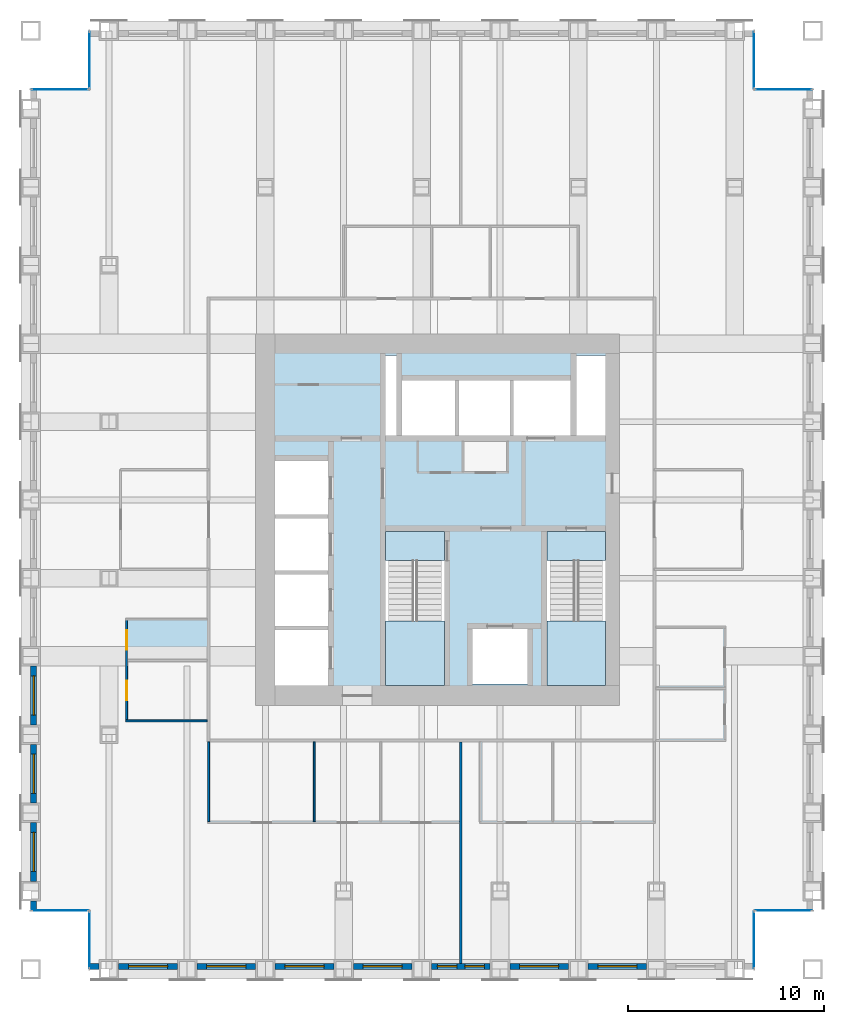
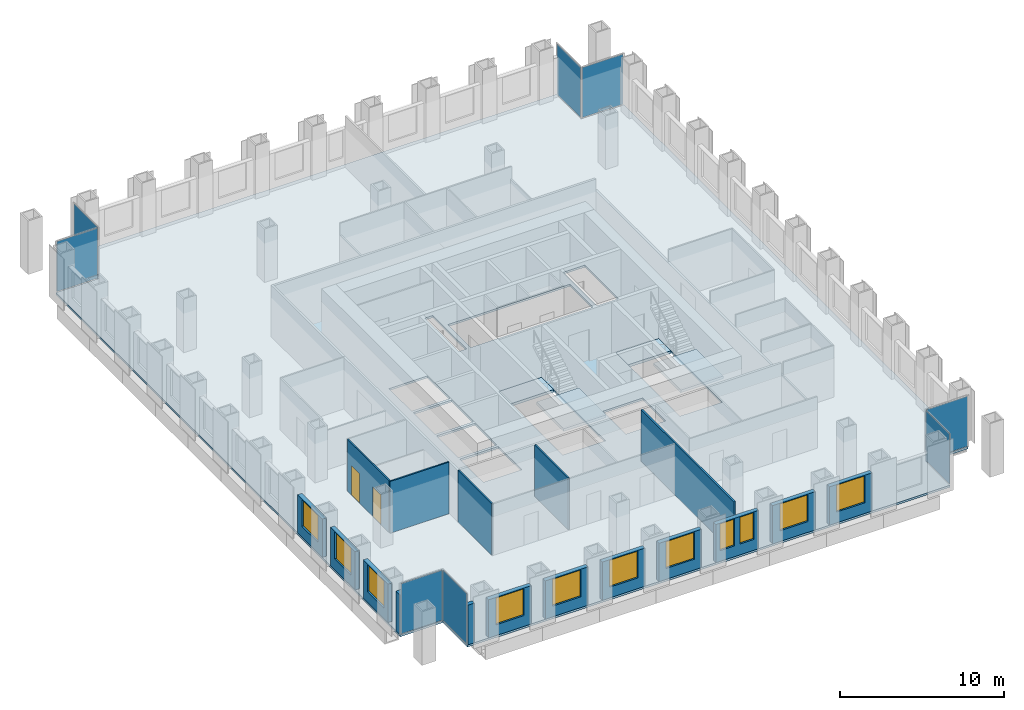
# One storey, part 7 of 12: 17 walls, 11 windows, 8 plates, 5 slabs, 2 doors, 13 openings, 10 elements without a shape of their own.
"""IFC4 building model written with IfcOpenShell, lengths in metres."""

from ifc_helpers import new_model, si_unit, direction, frame, frame_2d, origin, origin_2d, place, context, subcontext, project, spatial, polyline, rectangle, outline, extrude, material, layer, layer_set, type_object, element, fill, aggregate, save


model = new_model("IFC4")

# Units and contexts
model_context = context("Model", 3, precision=1e-05, world=origin(), true_north=direction((0.0, 1.0)))
body_context = subcontext(model_context, "Body", "Model", "MODEL_VIEW")
ifc_project = project(units=[si_unit("LENGTHUNIT", "METRE"), si_unit("AREAUNIT", "SQUARE_METRE"), si_unit("VOLUMEUNIT", "CUBIC_METRE"), si_unit("PLANEANGLEUNIT", "RADIAN"), si_unit("MASSUNIT", "GRAM", prefix="KILO")], contexts=[model_context])

# Site, building, storey
site_placement = place(None, origin())
site = spatial("IfcSite", under=ifc_project, at=site_placement, CompositionType="ELEMENT")
building_placement = place(site_placement, origin())
building = spatial("IfcBuilding", under=site, at=building_placement, Name="Rimbunsela Tower", CompositionType="ELEMENT")
storey_placement = place(building_placement, frame((0.0, 0.0, 155.800048828125)))
storey = spatial("IfcBuildingStorey", under=building, at=storey_placement, Name="L37", CompositionType="ELEMENT", Elevation=155.800048828125)

# Slab
ifc_material_1 = material(Name="Concrete fc' 35 MPa", Category="concrete")
ifc_layer_1 = layer(ifc_material_1, 0.14990234375)
ifc_layer_set_1 = layer_set([ifc_layer_1], Name="Floor slab 150")
slab_type_1 = type_object("IfcSlabType", Name="Floor slab 150", PredefinedType="FLOOR", material=ifc_layer_set_1)
slab_1_placement = place(storey_placement, frame((0.0, 0.0, -0.150146484375)))
element("IfcSlab", 1, at=slab_1_placement, inside=storey, type_object=slab_type_1, Name="Floor slab L37", PredefinedType="FLOOR", context=body_context, shape_type="SweptSolid", body=[
    extrude(outline(polyline([(9.0, 4.0), (43.0, 4.0), (43.0, 7.0), (46.0, 7.0), (46.0, 49.0), (43.0, 49.0), (43.0, 52.0), (9.0, 52.0), (9.0, 49.0), (6.0, 49.0), (6.0, 7.0), (9.0, 7.0), (9.0, 4.0)]), holes=[polyline([(21.199951171875, 21.35009765625), (18.5, 21.35009765625), (18.5, 18.5), (21.199951171875, 18.5), (21.199951171875, 21.35009765625)]), polyline([(21.199951171875, 21.550048828125), (21.199951171875, 24.199951171875), (18.5, 24.199951171875), (18.5, 21.550048828125), (21.199951171875, 21.550048828125)]), polyline([(21.199951171875, 27.050048828125), (18.5, 27.050048828125), (18.5, 24.39990234375), (21.199951171875, 24.39990234375), (21.199951171875, 27.050048828125)]), polyline([(21.199951171875, 27.25), (21.199951171875, 30.0), (18.5, 30.0), (18.5, 27.25), (21.199951171875, 27.25)]), polyline([(27.14990234375, 18.60009765625), (27.14990234375, 26.39990234375), (24.14990234375, 26.39990234375), (24.14990234375, 18.60009765625), (27.14990234375, 18.60009765625)]), polyline([(24.699951171875, 31.300048828125), (24.699951171875, 35.39990234375), (24.14990234375, 35.39990234375), (24.14990234375, 31.300048828125), (24.699951171875, 31.300048828125)]), polyline([(25.0, 34.10009765625), (25.0, 31.300048828125), (33.60009765625, 31.300048828125), (33.60009765625, 34.10009765625), (25.0, 34.10009765625)]), polyline([(31.39990234375, 21.39990234375), (28.60009765625, 21.39990234375), (28.60009765625, 18.60009765625), (31.39990234375, 18.60009765625), (31.39990234375, 21.39990234375)]), polyline([(35.39990234375, 18.60009765625), (35.39990234375, 26.39990234375), (32.39990234375, 26.39990234375), (32.39990234375, 18.60009765625), (35.39990234375, 18.60009765625)]), polyline([(35.39990234375, 31.300048828125), (35.39990234375, 35.39990234375), (33.89990234375, 35.39990234375), (33.89990234375, 31.300048828125), (35.39990234375, 31.300048828125)])]), origin(), (0.0, 0.0, 1.0), 0.150146484375),
])

# Curtain wall, plate
ifc_material_2 = material(Name="Aluminium curtain wall", Category="aluminium")
curtain_wall_type = type_object("IfcCurtainWallType", Name="Corner glazing", PredefinedType="USERDEFINED", material=ifc_material_2)
curtain_wall_1_placement = place(storey_placement, origin())
curtain_wall_1 = element("IfcCurtainWall", 2, at=curtain_wall_1_placement, inside=storey, type_object=curtain_wall_type, Name="Corner glazing L37", ObjectType="CORNER GLAZING", PredefinedType="USERDEFINED")
ifc_material_3 = material(Name="Clear double glazing", Category="glass")
ifc_layer_2 = layer(ifc_material_3, 0.028076171875)
ifc_layer_set_2 = layer_set([ifc_layer_2], Name="Glazed panel clear")
plate_type = type_object("IfcPlateType", Name="Glazed panel clear", PredefinedType="CURTAIN_PANEL", material=ifc_layer_set_2)
plate_1_placement = place(storey_placement, frame((43.0, 5.5, 0.06005859375), z_axis=(0.0, 0.0, 1.0), x_axis=(0.0, 1.0, 0.0)))
plate_1 = element("IfcPlate", 3, at=plate_1_placement, type_object=plate_type, Name="CW5 panel 1.1", PredefinedType="CURTAIN_PANEL", context=body_context, shape_type="SweptSolid", body=[
    extrude(rectangle(XDim=2.8798828125, YDim=0.028076171875, at=origin_2d()), origin(), (0.0, 0.0, 1.0), 3.72998046875),
])
aggregate(curtain_wall_1, [plate_1])

curtain_wall_2_placement = place(storey_placement, origin())
curtain_wall_2 = element("IfcCurtainWall", 4, at=curtain_wall_2_placement, inside=storey, type_object=curtain_wall_type, Name="Corner glazing L37", ObjectType="CORNER GLAZING", PredefinedType="USERDEFINED")
plate_2_placement = place(storey_placement, frame((44.5, 7.0, 0.06005859375), z_axis=(0.0, 0.0, 1.0), x_axis=(1.0, 0.0, 0.0)))
plate_2 = element("IfcPlate", 5, at=plate_2_placement, type_object=plate_type, Name="CW5 panel 1.1", PredefinedType="CURTAIN_PANEL", context=body_context, shape_type="SweptSolid", body=[
    extrude(rectangle(XDim=2.8798828125, YDim=0.028076171875, at=origin_2d()), origin(), (0.0, 0.0, 1.0), 3.72998046875),
])
aggregate(curtain_wall_2, [plate_2])

curtain_wall_3_placement = place(storey_placement, origin())
curtain_wall_3 = element("IfcCurtainWall", 6, at=curtain_wall_3_placement, inside=storey, type_object=curtain_wall_type, Name="Corner glazing L37", ObjectType="CORNER GLAZING", PredefinedType="USERDEFINED")
plate_3_placement = place(storey_placement, frame((44.5, 49.0, 0.06005859375), z_axis=(0.0, 0.0, 1.0), x_axis=(-1.0, 0.0, 0.0)))
plate_3 = element("IfcPlate", 7, at=plate_3_placement, type_object=plate_type, Name="CW5 panel 1.1", PredefinedType="CURTAIN_PANEL", context=body_context, shape_type="SweptSolid", body=[
    extrude(rectangle(XDim=2.8798828125, YDim=0.028076171875, at=origin_2d()), origin(), (0.0, 0.0, 1.0), 3.72998046875),
])
aggregate(curtain_wall_3, [plate_3])

curtain_wall_4_placement = place(storey_placement, origin())
curtain_wall_4 = element("IfcCurtainWall", 8, at=curtain_wall_4_placement, inside=storey, type_object=curtain_wall_type, Name="Corner glazing L37", ObjectType="CORNER GLAZING", PredefinedType="USERDEFINED")
plate_4_placement = place(storey_placement, frame((43.0, 50.5, 0.06005859375), z_axis=(0.0, 0.0, 1.0), x_axis=(0.0, 1.0, 0.0)))
plate_4 = element("IfcPlate", 9, at=plate_4_placement, type_object=plate_type, Name="CW5 panel 1.1", PredefinedType="CURTAIN_PANEL", context=body_context, shape_type="SweptSolid", body=[
    extrude(rectangle(XDim=2.8798828125, YDim=0.028076171875, at=origin_2d()), origin(), (0.0, 0.0, 1.0), 3.72998046875),
])
aggregate(curtain_wall_4, [plate_4])

curtain_wall_5_placement = place(storey_placement, origin())
curtain_wall_5 = element("IfcCurtainWall", 10, at=curtain_wall_5_placement, inside=storey, type_object=curtain_wall_type, Name="Corner glazing L37", ObjectType="CORNER GLAZING", PredefinedType="USERDEFINED")
plate_5_placement = place(storey_placement, frame((9.0, 50.5, 0.06005859375), z_axis=(0.0, 0.0, 1.0), x_axis=(0.0, -1.0, 0.0)))
plate_5 = element("IfcPlate", 11, at=plate_5_placement, type_object=plate_type, Name="CW5 panel 1.1", PredefinedType="CURTAIN_PANEL", context=body_context, shape_type="SweptSolid", body=[
    extrude(rectangle(XDim=2.8798828125, YDim=0.028076171875, at=origin_2d()), origin(), (0.0, 0.0, 1.0), 3.72998046875),
])
aggregate(curtain_wall_5, [plate_5])

curtain_wall_6_placement = place(storey_placement, origin())
curtain_wall_6 = element("IfcCurtainWall", 12, at=curtain_wall_6_placement, inside=storey, type_object=curtain_wall_type, Name="Corner glazing L37", ObjectType="CORNER GLAZING", PredefinedType="USERDEFINED")
plate_6_placement = place(storey_placement, frame((7.5, 49.0, 0.06005859375), z_axis=(0.0, 0.0, 1.0), x_axis=(-1.0, 0.0, 0.0)))
plate_6 = element("IfcPlate", 13, at=plate_6_placement, type_object=plate_type, Name="CW5 panel 1.1", PredefinedType="CURTAIN_PANEL", context=body_context, shape_type="SweptSolid", body=[
    extrude(rectangle(XDim=2.8798828125, YDim=0.028076171875, at=origin_2d()), origin(), (0.0, 0.0, 1.0), 3.72998046875),
])
aggregate(curtain_wall_6, [plate_6])

curtain_wall_7_placement = place(storey_placement, origin())
curtain_wall_7 = element("IfcCurtainWall", 14, at=curtain_wall_7_placement, inside=storey, type_object=curtain_wall_type, Name="Corner glazing L37", ObjectType="CORNER GLAZING", PredefinedType="USERDEFINED")
plate_7_placement = place(storey_placement, frame((7.5, 7.0, 0.06005859375), z_axis=(0.0, 0.0, 1.0), x_axis=(1.0, 0.0, 0.0)))
plate_7 = element("IfcPlate", 15, at=plate_7_placement, type_object=plate_type, Name="CW5 panel 1.1", PredefinedType="CURTAIN_PANEL", context=body_context, shape_type="SweptSolid", body=[
    extrude(rectangle(XDim=2.8798828125, YDim=0.028076171875, at=origin_2d()), origin(), (0.0, 0.0, 1.0), 3.72998046875),
])
aggregate(curtain_wall_7, [plate_7])

curtain_wall_8_placement = place(storey_placement, origin())
curtain_wall_8 = element("IfcCurtainWall", 16, at=curtain_wall_8_placement, inside=storey, type_object=curtain_wall_type, Name="Corner glazing L37", ObjectType="CORNER GLAZING", PredefinedType="USERDEFINED")
plate_8_placement = place(storey_placement, frame((9.0, 5.5, 0.06005859375), z_axis=(0.0, 0.0, 1.0), x_axis=(0.0, -1.0, 0.0)))
plate_8 = element("IfcPlate", 17, at=plate_8_placement, type_object=plate_type, Name="CW5 panel 1.1", PredefinedType="CURTAIN_PANEL", context=body_context, shape_type="SweptSolid", body=[
    extrude(rectangle(XDim=2.8798828125, YDim=0.028076171875, at=origin_2d()), origin(), (0.0, 0.0, 1.0), 3.72998046875),
])
aggregate(curtain_wall_8, [plate_8])

# Stair, slabs
ifc_material_4 = material(Name="Concrete fc' 35 MPa", Category="concrete")
stair_type = type_object("IfcStairType", Name="Exit stair 24 risers", PredefinedType="HALF_TURN_STAIR", material=ifc_material_4)
stair_1_placement = place(storey_placement, origin())
stair_1 = element("IfcStair", 18, at=stair_1_placement, inside=storey, type_object=stair_type, Name="Exit stair A L37", PredefinedType="HALF_TURN_STAIR")
ifc_material_5 = material(Name="Concrete fc' 35 MPa", Category="concrete")
ifc_layer_3 = layer(ifc_material_5, 0.199951171875)
ifc_layer_set_3 = layer_set([ifc_layer_3], Name="Stair landing 200")
slab_type_2 = type_object("IfcSlabType", Name="Stair landing 200", PredefinedType="LANDING", material=ifc_layer_set_3)
slab_2_placement = place(storey_placement, frame((0.0, 0.0, -0.199951171875)))
slab_2 = element("IfcSlab", 19, at=slab_2_placement, type_object=slab_type_2, Name="ST-A landing 1", PredefinedType="LANDING", context=body_context, shape_type="SweptSolid", body=[
    extrude(outline(polyline([(24.14990234375, 24.89990234375), (27.14990234375, 24.89990234375), (27.14990234375, 26.39990234375), (24.14990234375, 26.39990234375), (24.14990234375, 24.89990234375)])), origin(), (0.0, 0.0, 1.0), 0.199951171875),
])
slab_3_placement = place(storey_placement, frame((0.0, 0.0, 1.800048828125)))
slab_3 = element("IfcSlab", 20, at=slab_3_placement, type_object=slab_type_2, Name="ST-A landing 2", PredefinedType="LANDING", context=body_context, shape_type="SweptSolid", body=[
    extrude(outline(polyline([(24.14990234375, 18.5), (27.14990234375, 18.5), (27.14990234375, 21.820068359375), (24.14990234375, 21.820068359375), (24.14990234375, 18.5)])), origin(), (0.0, 0.0, 1.0), 0.199951171875),
])
aggregate(stair_1, [slab_2, slab_3])

stair_2_placement = place(storey_placement, origin())
stair_2 = element("IfcStair", 21, at=stair_2_placement, inside=storey, type_object=stair_type, Name="Exit stair B L37", PredefinedType="HALF_TURN_STAIR")
slab_4_placement = place(storey_placement, frame((0.0, 0.0, -0.199951171875)))
slab_4 = element("IfcSlab", 22, at=slab_4_placement, type_object=slab_type_2, Name="ST-B landing 1", PredefinedType="LANDING", context=body_context, shape_type="SweptSolid", body=[
    extrude(outline(polyline([(32.39990234375, 24.89990234375), (35.39990234375, 24.89990234375), (35.39990234375, 26.39990234375), (32.39990234375, 26.39990234375), (32.39990234375, 24.89990234375)])), origin(), (0.0, 0.0, 1.0), 0.199951171875),
])
slab_5_placement = place(storey_placement, frame((0.0, 0.0, 1.800048828125)))
slab_5 = element("IfcSlab", 23, at=slab_5_placement, type_object=slab_type_2, Name="ST-B landing 2", PredefinedType="LANDING", context=body_context, shape_type="SweptSolid", body=[
    extrude(outline(polyline([(32.39990234375, 18.5), (35.39990234375, 18.5), (35.39990234375, 21.820068359375), (32.39990234375, 21.820068359375), (32.39990234375, 18.5)])), origin(), (0.0, 0.0, 1.0), 0.199951171875),
])
aggregate(stair_2, [slab_4, slab_5])

# Wall
ifc_material_6 = material(Name="Gypsum board on steel studs", Category="steel")
ifc_layer_4 = layer(ifc_material_6, 0.10009765625)
ifc_layer_set_4 = layer_set([ifc_layer_4], Name="Office partition 100")
wall_type_1 = type_object("IfcWallType", Name="Office partition 100", PredefinedType="PARTITIONING", material=ifc_layer_set_4)
wall_1_placement = place(storey_placement, frame((10.85009765625, 16.699951171875, 0.0), z_axis=(0.0, 0.0, 1.0), x_axis=(1.0, 0.0, 0.0)))
element("IfcWall", 24, at=wall_1_placement, inside=storey, type_object=wall_type_1, Name="Office partition", PredefinedType="PARTITIONING", context=body_context, shape_type="SweptSolid", body=[
    extrude(rectangle(XDim=4.1748046875, YDim=0.10009765625, at=frame_2d((2.08740234375, 0.0))), origin(), (0.0, 0.0, 1.0), 3.849853515625),
])

# Wall, openings, doors
wall_2_placement = place(storey_placement, frame((10.89990234375, 16.75, 0.0), z_axis=(0.0, 0.0, 1.0), x_axis=(0.0, 1.0, 0.0)))
wall_2 = element("IfcWall", 25, at=wall_2_placement, inside=storey, type_object=wall_type_1, Name="Office partition", PredefinedType="PARTITIONING", context=body_context, shape_type="SweptSolid", body=[
    extrude(rectangle(XDim=5.10009765625, YDim=0.10009765625, at=frame_2d((2.550048828125, 0.0))), origin(), (0.0, 0.0, 1.0), 3.849853515625),
])
opening_1_placement = place(wall_2_placement, frame((1.0, 0.0, 0.0)))
opening_1 = element("IfcOpeningElement", 26, at=opening_1_placement, cuts=wall_2, Name="Opening D16", PredefinedType="OPENING", context=body_context, shape_type="SweptSolid", body=[
    extrude(rectangle(XDim=1.0, YDim=2.199951171875, at=frame_2d((0.5, 1.10009765625))), frame((0.0, 0.06005859375, 0.0), z_axis=(0.0, -1.0, 0.0), x_axis=(1.0, 0.0, 0.0)), (0.0, 0.0, 1.0), 0.1201171875),
])
opening_2_placement = place(wall_2_placement, frame((3.60009765625, 0.0, 0.0)))
opening_2 = element("IfcOpeningElement", 27, at=opening_2_placement, cuts=wall_2, Name="Opening D16", PredefinedType="OPENING", context=body_context, shape_type="SweptSolid", body=[
    extrude(rectangle(XDim=1.0, YDim=2.199951171875, at=frame_2d((0.5, 1.10009765625))), frame((0.0, 0.06005859375, 0.0), z_axis=(0.0, -1.0, 0.0), x_axis=(1.0, 0.0, 0.0)), (0.0, 0.0, 1.0), 0.1201171875),
])
ifc_material_7 = material(Name="Timber door", Category="wood")
door_type = type_object("IfcDoorType", Name="Office door 1000", OperationType="SINGLE_SWING_LEFT", PredefinedType="DOOR", material=ifc_material_7)
door_1_placement = place(opening_1_placement, origin())
door_1 = element("IfcDoor", 28, at=door_1_placement, inside=storey, type_object=door_type, Name="Office door", OperationType="SINGLE_SWING_LEFT", OverallHeight=2.199951171875, OverallWidth=1.0, PredefinedType="DOOR", context=body_context, shape_type="SweptSolid", body=[
    extrude(rectangle(XDim=1.0, YDim=2.199951171875, at=frame_2d((0.5, 1.10009765625))), frame((0.0, 0.02490234375, 0.0), z_axis=(0.0, -1.0, 0.0), x_axis=(1.0, 0.0, 0.0)), (0.0, 0.0, 1.0), 0.050048828125),
])
fill(opening_1, door_1)
door_2_placement = place(opening_2_placement, origin())
door_2 = element("IfcDoor", 29, at=door_2_placement, inside=storey, type_object=door_type, Name="Office door", OperationType="SINGLE_SWING_LEFT", OverallHeight=2.199951171875, OverallWidth=1.0, PredefinedType="DOOR", context=body_context, shape_type="SweptSolid", body=[
    extrude(rectangle(XDim=1.0, YDim=2.199951171875, at=frame_2d((0.5, 1.10009765625))), frame((0.0, 0.02490234375, 0.0), z_axis=(0.0, -1.0, 0.0), x_axis=(1.0, 0.0, 0.0)), (0.0, 0.0, 1.0), 0.050048828125),
])
fill(opening_2, door_2)

# Walls
for number, where, z_axis, x_axis, name in (
    (30, (15.10009765625, 11.550048828125, 0.0), (0.0, 0.0, 1.0), (0.0, 1.0, 0.0), "Office partition"),
    (31, (20.5, 11.550048828125, 0.0), (0.0, 0.0, 1.0), (0.0, 1.0, 0.0), "Office partition"),
):
    element("IfcWall", number, at=place(storey_placement, frame(where, z_axis=z_axis, x_axis=x_axis)), inside=storey, type_object=wall_type_1, Name=name, PredefinedType="PARTITIONING", context=body_context, shape_type="SweptSolid", body=[
        extrude(rectangle(XDim=4.074951171875, YDim=0.10009765625, at=frame_2d((2.03759765625, 0.0))), origin(), (0.0, 0.0, 1.0), 3.849853515625),
    ])
ifc_material_8 = material(Name="Precast concrete fc' 35 MPa", Category="concrete")
ifc_layer_5 = layer(ifc_material_8, 0.300048828125)
ifc_layer_set_5 = layer_set([ifc_layer_5], Name="Precast concrete fc' 35 MPa")
wall_type_2 = type_object("IfcWallType", Name="Precast facade panel 300", PredefinedType="ELEMENTEDWALL", material=ifc_layer_set_5)
wall_3_placement = place(storey_placement, frame((9.030029296875, 4.14990234375, 0.0), z_axis=(0.0, 0.0, 1.0), x_axis=(1.0, 0.0, 0.0)))
element("IfcWall", 32, at=wall_3_placement, inside=storey, type_object=wall_type_2, Name="Facade panel S L37", PredefinedType="ELEMENTEDWALL", context=body_context, shape_type="SweptSolid", body=[
    extrude(rectangle(XDim=0.469970703125, YDim=0.300048828125, at=frame_2d((0.23486328125, 0.0))), origin(), (0.0, 0.0, 1.0), 2.949951171875),
])

# Wall, opening, window
wall_4_placement = place(storey_placement, frame((10.5, 4.14990234375, 0.0), z_axis=(0.0, 0.0, 1.0), x_axis=(1.0, 0.0, 0.0)))
wall_4 = element("IfcWall", 33, at=wall_4_placement, inside=storey, type_object=wall_type_2, Name="Facade panel S L37", PredefinedType="ELEMENTEDWALL", context=body_context, shape_type="SweptSolid", body=[
    extrude(rectangle(XDim=3.0, YDim=0.300048828125, at=frame_2d((1.5, 0.0))), origin(), (0.0, 0.0, 1.0), 2.849853515625),
])
opening_3_placement = place(wall_4_placement, frame((0.5, 0.0, 0.800048828125)))
opening_3 = element("IfcOpeningElement", 34, at=opening_3_placement, cuts=wall_4, Name="Opening W1", PredefinedType="OPENING", context=body_context, shape_type="SweptSolid", body=[
    extrude(rectangle(XDim=2.0, YDim=2.0, at=frame_2d((1.0, 1.0))), frame((0.0, 0.159912109375, 0.0), z_axis=(0.0, -1.0, 0.0), x_axis=(1.0, 0.0, 0.0)), (0.0, 0.0, 1.0), 0.320068359375),
])
ifc_material_9 = material(Name="Clear glass in aluminium frame", Category="aluminium")
window_type_1 = type_object("IfcWindowType", Name="Window W1 2000x2000", PartitioningType="DOUBLE_PANEL_VERTICAL", PredefinedType="WINDOW", material=ifc_material_9)
window_1_placement = place(opening_3_placement, origin())
window_1 = element("IfcWindow", 35, at=window_1_placement, inside=storey, type_object=window_type_1, Name="Window L37", OverallHeight=2.0, OverallWidth=2.0, PartitioningType="SINGLE_PANEL", PredefinedType="WINDOW", context=body_context, shape_type="SweptSolid", body=[
    extrude(rectangle(XDim=2.0, YDim=2.0, at=frame_2d((1.0, 1.0))), frame((0.0, 0.030029296875, 0.0), z_axis=(0.0, -1.0, 0.0), x_axis=(1.0, 0.0, 0.0)), (0.0, 0.0, 1.0), 0.06005859375),
])
fill(opening_3, window_1)

wall_5_placement = place(storey_placement, frame((14.5, 4.14990234375, 0.0), z_axis=(0.0, 0.0, 1.0), x_axis=(1.0, 0.0, 0.0)))
wall_5 = element("IfcWall", 36, at=wall_5_placement, inside=storey, type_object=wall_type_2, Name="Facade panel S L37", PredefinedType="ELEMENTEDWALL", context=body_context, shape_type="SweptSolid", body=[
    extrude(rectangle(XDim=3.0, YDim=0.300048828125, at=frame_2d((1.5, 0.0))), origin(), (0.0, 0.0, 1.0), 2.849853515625),
])
opening_4_placement = place(wall_5_placement, frame((0.5, 0.0, 0.800048828125)))
opening_4 = element("IfcOpeningElement", 37, at=opening_4_placement, cuts=wall_5, Name="Opening W1", PredefinedType="OPENING", context=body_context, shape_type="SweptSolid", body=[
    extrude(rectangle(XDim=2.0, YDim=2.0, at=frame_2d((1.0, 1.0))), frame((0.0, 0.159912109375, 0.0), z_axis=(0.0, -1.0, 0.0), x_axis=(1.0, 0.0, 0.0)), (0.0, 0.0, 1.0), 0.320068359375),
])
window_2_placement = place(opening_4_placement, origin())
window_2 = element("IfcWindow", 38, at=window_2_placement, inside=storey, type_object=window_type_1, Name="Window L37", OverallHeight=2.0, OverallWidth=2.0, PartitioningType="SINGLE_PANEL", PredefinedType="WINDOW", context=body_context, shape_type="SweptSolid", body=[
    extrude(rectangle(XDim=2.0, YDim=2.0, at=frame_2d((1.0, 1.0))), frame((0.0, 0.030029296875, 0.0), z_axis=(0.0, -1.0, 0.0), x_axis=(1.0, 0.0, 0.0)), (0.0, 0.0, 1.0), 0.06005859375),
])
fill(opening_4, window_2)

wall_6_placement = place(storey_placement, frame((18.5, 4.14990234375, 0.0), z_axis=(0.0, 0.0, 1.0), x_axis=(1.0, 0.0, 0.0)))
wall_6 = element("IfcWall", 39, at=wall_6_placement, inside=storey, type_object=wall_type_2, Name="Facade panel S L37", PredefinedType="ELEMENTEDWALL", context=body_context, shape_type="SweptSolid", body=[
    extrude(rectangle(XDim=3.0, YDim=0.300048828125, at=frame_2d((1.5, 0.0))), origin(), (0.0, 0.0, 1.0), 2.849853515625),
])
opening_5_placement = place(wall_6_placement, frame((0.5, 0.0, 0.800048828125)))
opening_5 = element("IfcOpeningElement", 40, at=opening_5_placement, cuts=wall_6, Name="Opening W1", PredefinedType="OPENING", context=body_context, shape_type="SweptSolid", body=[
    extrude(rectangle(XDim=2.0, YDim=2.0, at=frame_2d((1.0, 1.0))), frame((0.0, 0.159912109375, 0.0), z_axis=(0.0, -1.0, 0.0), x_axis=(1.0, 0.0, 0.0)), (0.0, 0.0, 1.0), 0.320068359375),
])
window_3_placement = place(opening_5_placement, origin())
window_3 = element("IfcWindow", 41, at=window_3_placement, inside=storey, type_object=window_type_1, Name="Window L37", OverallHeight=2.0, OverallWidth=2.0, PartitioningType="SINGLE_PANEL", PredefinedType="WINDOW", context=body_context, shape_type="SweptSolid", body=[
    extrude(rectangle(XDim=2.0, YDim=2.0, at=frame_2d((1.0, 1.0))), frame((0.0, 0.030029296875, 0.0), z_axis=(0.0, -1.0, 0.0), x_axis=(1.0, 0.0, 0.0)), (0.0, 0.0, 1.0), 0.06005859375),
])
fill(opening_5, window_3)

wall_7_placement = place(storey_placement, frame((22.5, 4.14990234375, 0.0), z_axis=(0.0, 0.0, 1.0), x_axis=(1.0, 0.0, 0.0)))
wall_7 = element("IfcWall", 42, at=wall_7_placement, inside=storey, type_object=wall_type_2, Name="Facade panel S L37", PredefinedType="ELEMENTEDWALL", context=body_context, shape_type="SweptSolid", body=[
    extrude(rectangle(XDim=3.0, YDim=0.300048828125, at=frame_2d((1.5, 0.0))), origin(), (0.0, 0.0, 1.0), 2.849853515625),
])
opening_6_placement = place(wall_7_placement, frame((0.5, 0.0, 0.800048828125)))
opening_6 = element("IfcOpeningElement", 43, at=opening_6_placement, cuts=wall_7, Name="Opening W1", PredefinedType="OPENING", context=body_context, shape_type="SweptSolid", body=[
    extrude(rectangle(XDim=2.0, YDim=2.0, at=frame_2d((1.0, 1.0))), frame((0.0, 0.159912109375, 0.0), z_axis=(0.0, -1.0, 0.0), x_axis=(1.0, 0.0, 0.0)), (0.0, 0.0, 1.0), 0.320068359375),
])
window_4_placement = place(opening_6_placement, origin())
window_4 = element("IfcWindow", 44, at=window_4_placement, inside=storey, type_object=window_type_1, Name="Window L37", OverallHeight=2.0, OverallWidth=2.0, PartitioningType="SINGLE_PANEL", PredefinedType="WINDOW", context=body_context, shape_type="SweptSolid", body=[
    extrude(rectangle(XDim=2.0, YDim=2.0, at=frame_2d((1.0, 1.0))), frame((0.0, 0.030029296875, 0.0), z_axis=(0.0, -1.0, 0.0), x_axis=(1.0, 0.0, 0.0)), (0.0, 0.0, 1.0), 0.06005859375),
])
fill(opening_6, window_4)

# Wall, openings, windows
wall_8_placement = place(storey_placement, frame((26.5, 4.14990234375, 0.0), z_axis=(0.0, 0.0, 1.0), x_axis=(1.0, 0.0, 0.0)))
wall_8 = element("IfcWall", 45, at=wall_8_placement, inside=storey, type_object=wall_type_2, Name="Facade panel S L37", PredefinedType="ELEMENTEDWALL", context=body_context, shape_type="SweptSolid", body=[
    extrude(rectangle(XDim=3.0, YDim=0.300048828125, at=frame_2d((1.5, 0.0))), origin(), (0.0, 0.0, 1.0), 2.849853515625),
])
opening_7_placement = place(wall_8_placement, frame((0.300048828125, 0.0, 0.800048828125)))
opening_7 = element("IfcOpeningElement", 46, at=opening_7_placement, cuts=wall_8, Name="Opening W5", PredefinedType="OPENING", context=body_context, shape_type="SweptSolid", body=[
    extrude(rectangle(XDim=1.0, YDim=2.0, at=frame_2d((0.5, 1.0))), frame((0.0, 0.159912109375, 0.0), z_axis=(0.0, -1.0, 0.0), x_axis=(1.0, 0.0, 0.0)), (0.0, 0.0, 1.0), 0.320068359375),
])
opening_8_placement = place(wall_8_placement, frame((1.699951171875, 0.0, 0.800048828125)))
opening_8 = element("IfcOpeningElement", 47, at=opening_8_placement, cuts=wall_8, Name="Opening W5", PredefinedType="OPENING", context=body_context, shape_type="SweptSolid", body=[
    extrude(rectangle(XDim=1.0, YDim=2.0, at=frame_2d((0.5, 1.0))), frame((0.0, 0.159912109375, 0.0), z_axis=(0.0, -1.0, 0.0), x_axis=(1.0, 0.0, 0.0)), (0.0, 0.0, 1.0), 0.320068359375),
])
ifc_material_10 = material(Name="Clear glass in aluminium frame", Category="aluminium")
window_type_2 = type_object("IfcWindowType", Name="Window W5 1000x2000", PartitioningType="SINGLE_PANEL", PredefinedType="WINDOW", material=ifc_material_10)
window_5_placement = place(opening_7_placement, origin())
window_5 = element("IfcWindow", 48, at=window_5_placement, inside=storey, type_object=window_type_2, Name="Window L37", OverallHeight=2.0, OverallWidth=1.0, PartitioningType="SINGLE_PANEL", PredefinedType="WINDOW", context=body_context, shape_type="SweptSolid", body=[
    extrude(rectangle(XDim=1.0, YDim=2.0, at=frame_2d((0.5, 1.0))), frame((0.0, 0.030029296875, 0.0), z_axis=(0.0, -1.0, 0.0), x_axis=(1.0, 0.0, 0.0)), (0.0, 0.0, 1.0), 0.06005859375),
])
fill(opening_7, window_5)
window_6_placement = place(opening_8_placement, origin())
window_6 = element("IfcWindow", 49, at=window_6_placement, inside=storey, type_object=window_type_2, Name="Window L37", OverallHeight=2.0, OverallWidth=1.0, PartitioningType="SINGLE_PANEL", PredefinedType="WINDOW", context=body_context, shape_type="SweptSolid", body=[
    extrude(rectangle(XDim=1.0, YDim=2.0, at=frame_2d((0.5, 1.0))), frame((0.0, 0.030029296875, 0.0), z_axis=(0.0, -1.0, 0.0), x_axis=(1.0, 0.0, 0.0)), (0.0, 0.0, 1.0), 0.06005859375),
])
fill(opening_8, window_6)

# Wall, opening, window
wall_9_placement = place(storey_placement, frame((30.5, 4.14990234375, 0.0), z_axis=(0.0, 0.0, 1.0), x_axis=(1.0, 0.0, 0.0)))
wall_9 = element("IfcWall", 50, at=wall_9_placement, inside=storey, type_object=wall_type_2, Name="Facade panel S L37", PredefinedType="ELEMENTEDWALL", context=body_context, shape_type="SweptSolid", body=[
    extrude(rectangle(XDim=3.0, YDim=0.300048828125, at=frame_2d((1.5, 0.0))), origin(), (0.0, 0.0, 1.0), 2.849853515625),
])
opening_9_placement = place(wall_9_placement, frame((0.5, 0.0, 0.800048828125)))
opening_9 = element("IfcOpeningElement", 51, at=opening_9_placement, cuts=wall_9, Name="Opening W1", PredefinedType="OPENING", context=body_context, shape_type="SweptSolid", body=[
    extrude(rectangle(XDim=2.0, YDim=2.0, at=frame_2d((1.0, 1.0))), frame((0.0, 0.159912109375, 0.0), z_axis=(0.0, -1.0, 0.0), x_axis=(1.0, 0.0, 0.0)), (0.0, 0.0, 1.0), 0.320068359375),
])
window_7_placement = place(opening_9_placement, origin())
window_7 = element("IfcWindow", 52, at=window_7_placement, inside=storey, type_object=window_type_1, Name="Window L37", OverallHeight=2.0, OverallWidth=2.0, PartitioningType="SINGLE_PANEL", PredefinedType="WINDOW", context=body_context, shape_type="SweptSolid", body=[
    extrude(rectangle(XDim=2.0, YDim=2.0, at=frame_2d((1.0, 1.0))), frame((0.0, 0.030029296875, 0.0), z_axis=(0.0, -1.0, 0.0), x_axis=(1.0, 0.0, 0.0)), (0.0, 0.0, 1.0), 0.06005859375),
])
fill(opening_9, window_7)

wall_10_placement = place(storey_placement, frame((34.5, 4.14990234375, 0.0), z_axis=(0.0, 0.0, 1.0), x_axis=(1.0, 0.0, 0.0)))
wall_10 = element("IfcWall", 53, at=wall_10_placement, inside=storey, type_object=wall_type_2, Name="Facade panel S L37", PredefinedType="ELEMENTEDWALL", context=body_context, shape_type="SweptSolid", body=[
    extrude(rectangle(XDim=3.0, YDim=0.300048828125, at=frame_2d((1.5, 0.0))), origin(), (0.0, 0.0, 1.0), 2.849853515625),
])
opening_10_placement = place(wall_10_placement, frame((0.5, 0.0, 0.800048828125)))
opening_10 = element("IfcOpeningElement", 54, at=opening_10_placement, cuts=wall_10, Name="Opening W1", PredefinedType="OPENING", context=body_context, shape_type="SweptSolid", body=[
    extrude(rectangle(XDim=2.0, YDim=2.0, at=frame_2d((1.0, 1.0))), frame((0.0, 0.159912109375, 0.0), z_axis=(0.0, -1.0, 0.0), x_axis=(1.0, 0.0, 0.0)), (0.0, 0.0, 1.0), 0.320068359375),
])
window_8_placement = place(opening_10_placement, origin())
window_8 = element("IfcWindow", 55, at=window_8_placement, inside=storey, type_object=window_type_1, Name="Window L37", OverallHeight=2.0, OverallWidth=2.0, PartitioningType="SINGLE_PANEL", PredefinedType="WINDOW", context=body_context, shape_type="SweptSolid", body=[
    extrude(rectangle(XDim=2.0, YDim=2.0, at=frame_2d((1.0, 1.0))), frame((0.0, 0.030029296875, 0.0), z_axis=(0.0, -1.0, 0.0), x_axis=(1.0, 0.0, 0.0)), (0.0, 0.0, 1.0), 0.06005859375),
])
fill(opening_10, window_8)

# Wall
wall_11_placement = place(storey_placement, frame((6.14990234375, 7.5, 0.0), z_axis=(0.0, 0.0, 1.0), x_axis=(0.0, -1.0, 0.0)))
element("IfcWall", 56, at=wall_11_placement, inside=storey, type_object=wall_type_2, Name="Facade panel W L37", PredefinedType="ELEMENTEDWALL", context=body_context, shape_type="SweptSolid", body=[
    extrude(rectangle(XDim=0.469970703125, YDim=0.300048828125, at=frame_2d((0.23486328125, 0.0))), origin(), (0.0, 0.0, 1.0), 2.949951171875),
])

# Wall, opening, window
wall_12_placement = place(storey_placement, frame((6.14990234375, 11.5, 0.0), z_axis=(0.0, 0.0, 1.0), x_axis=(0.0, -1.0, 0.0)))
wall_12 = element("IfcWall", 57, at=wall_12_placement, inside=storey, type_object=wall_type_2, Name="Facade panel W L37", PredefinedType="ELEMENTEDWALL", context=body_context, shape_type="SweptSolid", body=[
    extrude(rectangle(XDim=3.0, YDim=0.300048828125, at=frame_2d((1.5, 0.0))), origin(), (0.0, 0.0, 1.0), 2.849853515625),
])
opening_11_placement = place(wall_12_placement, frame((0.5, 0.0, 0.800048828125)))
opening_11 = element("IfcOpeningElement", 58, at=opening_11_placement, cuts=wall_12, Name="Opening W1", PredefinedType="OPENING", context=body_context, shape_type="SweptSolid", body=[
    extrude(rectangle(XDim=2.0, YDim=2.0, at=frame_2d((1.0, 1.0))), frame((0.0, 0.159912109375, 0.0), z_axis=(0.0, -1.0, 0.0), x_axis=(1.0, 0.0, 0.0)), (0.0, 0.0, 1.0), 0.320068359375),
])
window_9_placement = place(opening_11_placement, origin())
window_9 = element("IfcWindow", 59, at=window_9_placement, inside=storey, type_object=window_type_1, Name="Window L37", OverallHeight=2.0, OverallWidth=2.0, PartitioningType="SINGLE_PANEL", PredefinedType="WINDOW", context=body_context, shape_type="SweptSolid", body=[
    extrude(rectangle(XDim=2.0, YDim=2.0, at=frame_2d((1.0, 1.0))), frame((0.0, 0.030029296875, 0.0), z_axis=(0.0, -1.0, 0.0), x_axis=(1.0, 0.0, 0.0)), (0.0, 0.0, 1.0), 0.06005859375),
])
fill(opening_11, window_9)

wall_13_placement = place(storey_placement, frame((6.14990234375, 15.5, 0.0), z_axis=(0.0, 0.0, 1.0), x_axis=(0.0, -1.0, 0.0)))
wall_13 = element("IfcWall", 60, at=wall_13_placement, inside=storey, type_object=wall_type_2, Name="Facade panel W L37", PredefinedType="ELEMENTEDWALL", context=body_context, shape_type="SweptSolid", body=[
    extrude(rectangle(XDim=3.0, YDim=0.300048828125, at=frame_2d((1.5, 0.0))), origin(), (0.0, 0.0, 1.0), 2.849853515625),
])
opening_12_placement = place(wall_13_placement, frame((0.5, 0.0, 0.800048828125)))
opening_12 = element("IfcOpeningElement", 61, at=opening_12_placement, cuts=wall_13, Name="Opening W1", PredefinedType="OPENING", context=body_context, shape_type="SweptSolid", body=[
    extrude(rectangle(XDim=2.0, YDim=2.0, at=frame_2d((1.0, 1.0))), frame((0.0, 0.159912109375, 0.0), z_axis=(0.0, -1.0, 0.0), x_axis=(1.0, 0.0, 0.0)), (0.0, 0.0, 1.0), 0.320068359375),
])
window_10_placement = place(opening_12_placement, origin())
window_10 = element("IfcWindow", 62, at=window_10_placement, inside=storey, type_object=window_type_1, Name="Window L37", OverallHeight=2.0, OverallWidth=2.0, PartitioningType="SINGLE_PANEL", PredefinedType="WINDOW", context=body_context, shape_type="SweptSolid", body=[
    extrude(rectangle(XDim=2.0, YDim=2.0, at=frame_2d((1.0, 1.0))), frame((0.0, 0.030029296875, 0.0), z_axis=(0.0, -1.0, 0.0), x_axis=(1.0, 0.0, 0.0)), (0.0, 0.0, 1.0), 0.06005859375),
])
fill(opening_12, window_10)

wall_14_placement = place(storey_placement, frame((6.14990234375, 19.5, 0.0), z_axis=(0.0, 0.0, 1.0), x_axis=(0.0, -1.0, 0.0)))
wall_14 = element("IfcWall", 63, at=wall_14_placement, inside=storey, type_object=wall_type_2, Name="Facade panel W L37", PredefinedType="ELEMENTEDWALL", context=body_context, shape_type="SweptSolid", body=[
    extrude(rectangle(XDim=3.0, YDim=0.300048828125, at=frame_2d((1.5, 0.0))), origin(), (0.0, 0.0, 1.0), 2.849853515625),
])
opening_13_placement = place(wall_14_placement, frame((0.5, 0.0, 0.800048828125)))
opening_13 = element("IfcOpeningElement", 64, at=opening_13_placement, cuts=wall_14, Name="Opening W1", PredefinedType="OPENING", context=body_context, shape_type="SweptSolid", body=[
    extrude(rectangle(XDim=2.0, YDim=2.0, at=frame_2d((1.0, 1.0))), frame((0.0, 0.159912109375, 0.0), z_axis=(0.0, -1.0, 0.0), x_axis=(1.0, 0.0, 0.0)), (0.0, 0.0, 1.0), 0.320068359375),
])
window_11_placement = place(opening_13_placement, origin())
window_11 = element("IfcWindow", 65, at=window_11_placement, inside=storey, type_object=window_type_1, Name="Window L37", OverallHeight=2.0, OverallWidth=2.0, PartitioningType="SINGLE_PANEL", PredefinedType="WINDOW", context=body_context, shape_type="SweptSolid", body=[
    extrude(rectangle(XDim=2.0, YDim=2.0, at=frame_2d((1.0, 1.0))), frame((0.0, 0.030029296875, 0.0), z_axis=(0.0, -1.0, 0.0), x_axis=(1.0, 0.0, 0.0)), (0.0, 0.0, 1.0), 0.06005859375),
])
fill(opening_13, window_11)

# Wall
ifc_material_11 = material(Name="Gypsum board on steel studs", Category="steel")
ifc_layer_6 = layer(ifc_material_11, 0.1201171875)
ifc_layer_set_6 = layer_set([ifc_layer_6], Name="Tenancy partition 120")
wall_type_3 = type_object("IfcWallType", Name="Tenancy partition 120", PredefinedType="PARTITIONING", material=ifc_layer_set_6)
wall_15_placement = place(storey_placement, frame((28.0, 4.300048828125, 0.0), z_axis=(0.0, 0.0, 1.0), x_axis=(0.0, 1.0, 0.0)))
element("IfcWall", 66, at=wall_15_placement, inside=storey, type_object=wall_type_3, Name="Tenancy partition south", PredefinedType="PARTITIONING", context=body_context, shape_type="SweptSolid", body=[
    extrude(rectangle(XDim=11.324951171875, YDim=0.1201171875, at=frame_2d((5.66259765625, 0.0))), origin(), (0.0, 0.0, 1.0), 3.849853515625),
])

save(model, "model.ifc")
